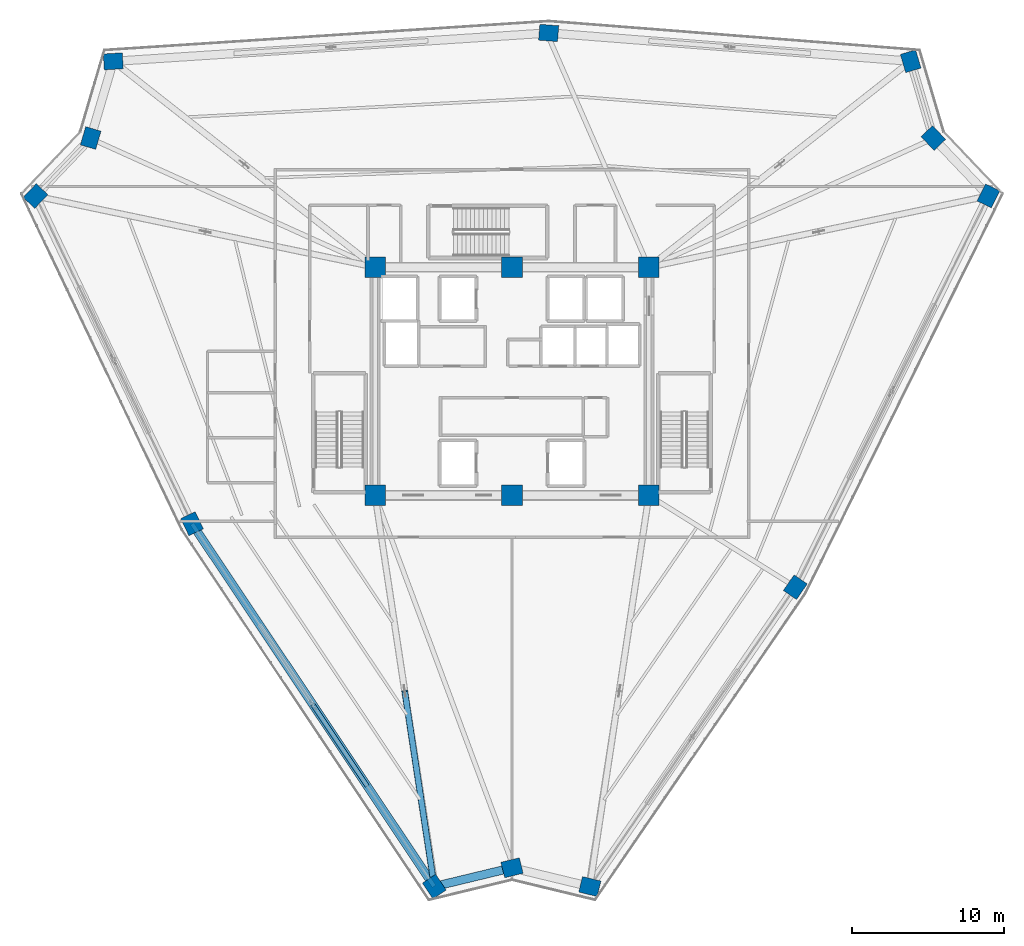
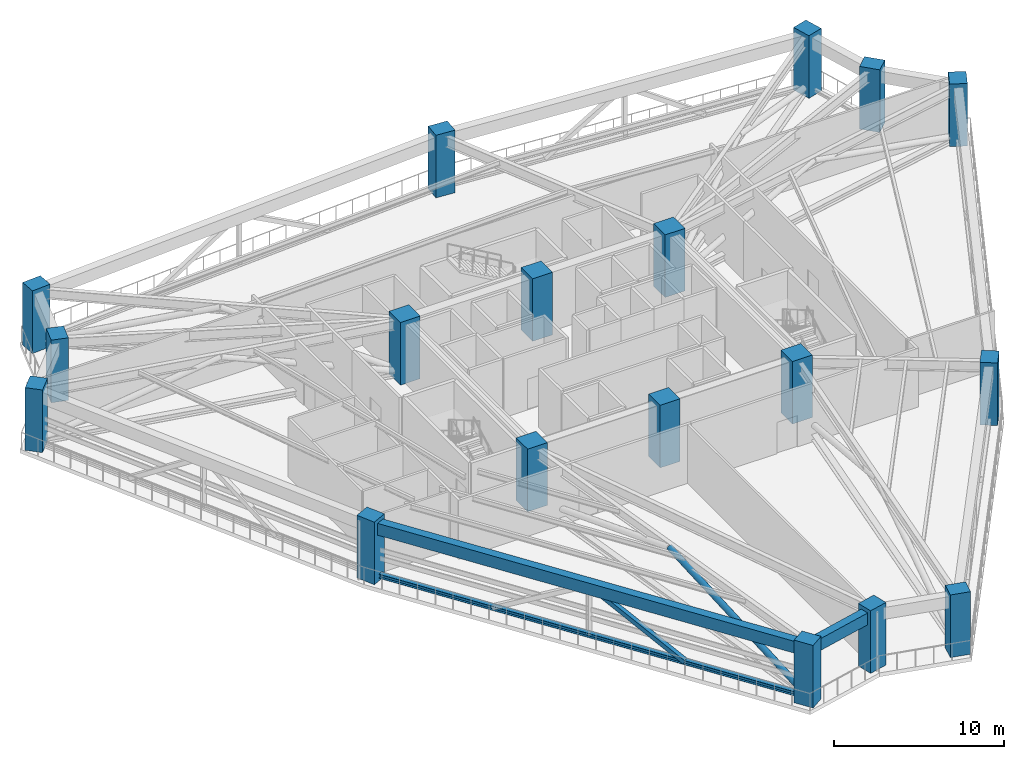
# One storey, part 1 of 22: 18 columns, 3 members, 2 beams.
"""IFC4 building model written with IfcOpenShell, lengths in metres."""

from ifc_helpers import new_model, si_unit, direction, frame, origin, origin_2d, place, context, subcontext, project, spatial, rectangle, hollow_rectangle, hollow_circle, i_section, extrude, source, transform, mapped, material, material_profile, profile_set, type_object, element, save


model = new_model("IFC4")

# Units and contexts
model_context = context("Model", 3, precision=1e-05, world=origin(), true_north=direction((0.0, 1.0)))
body_context = subcontext(model_context, "Body", "Model", "MODEL_VIEW")
ifc_project = project(units=[si_unit("LENGTHUNIT", "METRE"), si_unit("AREAUNIT", "SQUARE_METRE"), si_unit("VOLUMEUNIT", "CUBIC_METRE"), si_unit("PLANEANGLEUNIT", "RADIAN"), si_unit("MASSUNIT", "GRAM", prefix="KILO")], contexts=[model_context])

# Site, building, storey
site_placement = place(None, origin())
site = spatial("IfcSite", under=ifc_project, at=site_placement, CompositionType="ELEMENT")
building_placement = place(site_placement, origin())
building = spatial("IfcBuilding", under=site, at=building_placement, Name="Liaohun Quay Tower", CompositionType="ELEMENT")
storey_placement = place(building_placement, frame((0.0, 0.0, 277.5)))
storey = spatial("IfcBuildingStorey", under=building, at=storey_placement, Name="L72", CompositionType="ELEMENT", Elevation=277.5)

# Columns
ifc_material_1 = material(Name="Concrete C55", Category="concrete")
ifc_material_profile_1 = material_profile(ifc_material_1, rectangle(XDim=1.35009765625, YDim=1.35009765625, at=origin_2d()), Name="RC1350x1350")
ifc_profile_set_1 = profile_set([ifc_material_profile_1], Name="Concrete C55")
column_type_1 = type_object("IfcColumnType", Name="COL-CC-Z3", PredefinedType="COLUMN", material=ifc_profile_set_1)
shared_shape_1 = source(origin(), body_context, "Body", "SweptSolid", [
    extrude(rectangle(XDim=1.35009765625, YDim=1.35009765625, at=origin_2d()), origin(), (0.0, 0.0, 1.0), 4.5),
])
for number, where, z_axis, x_axis, name in (
    (1, (51.0, 46.5, 0.0), (0.0, 0.0, 1.0), (1.0, 0.0, 0.0), "L72 Core Column CC1"),
    (2, (60.0, 46.5, 0.0), (0.0, 0.0, 1.0), (1.0, 0.0, 0.0), "L72 Core Column CC2"),
    (3, (69.0, 46.5, 0.0), (0.0, 0.0, 1.0), (1.0, 0.0, 0.0), "L72 Core Column CC3"),
    (4, (69.0, 61.5, 0.0), (0.0, 0.0, 1.0), (1.0, 0.0, 0.0), "L72 Core Column CC4"),
    (5, (60.0, 61.5, 0.0), (0.0, 0.0, 1.0), (1.0, 0.0, 0.0), "L72 Core Column CC5"),
    (6, (51.0, 61.5, 0.0), (0.0, 0.0, 1.0), (1.0, 0.0, 0.0), "L72 Core Column CC6"),
):
    element("IfcColumn", number, at=place(storey_placement, frame(where, z_axis=z_axis, x_axis=x_axis)), inside=storey, type_object=column_type_1, Name=name, PredefinedType="COLUMN", context=body_context, shape_type="MappedRepresentation", body=[
        mapped(shared_shape_1, transform((0.0, 0.0, 0.0), x_axis=(1.0, 0.0, 0.0), y_axis=(0.0, 1.0, 0.0), z_axis=(0.0, 0.0, 1.0), scale=1.0)),
    ])
ifc_material_profile_2 = material_profile(ifc_material_1, rectangle(XDim=1.25, YDim=1.050048828125, at=origin_2d()), Name="RC1250x1050")
ifc_profile_set_2 = profile_set([ifc_material_profile_2], Name="Concrete C55")
column_type_2 = type_object("IfcColumnType", Name="COL-PIER-Z3", PredefinedType="COLUMN", material=ifc_profile_set_2)
shared_shape_2 = source(origin(), body_context, "Body", "SweptSolid", [
    extrude(rectangle(XDim=1.25, YDim=1.050048828125, at=origin_2d()), origin(), (0.0, 0.0, 1.0), 4.5),
])
for number, where, z_axis, x_axis, name in (
    (7, (54.89208984375, 20.783935546875, 0.0), (0.0, 0.0, 1.0), (-0.555279961531, 0.831663492238, 0.0), "L72 Perimeter Pier PC01"),
    (8, (38.964111328125, 44.638916015625, 0.0), (0.0, 0.0, 1.0), (-0.430983630323, 0.902359745553, 0.0), "L72 Perimeter Pier PC02"),
    (9, (28.674072265625, 66.178955078125, 0.0), (0.0, 0.0, 1.0), (0.68936671806, 0.724412539946, 0.0), "L72 Perimeter Pier PC03"),
    (10, (32.302001953125, 69.991943359375, 0.0), (0.0, 0.0, 1.0), (0.282676303383, 0.959215360337, 0.0), "L72 Perimeter Pier PC04"),
    (11, (33.7880859375, 75.031982421875, 0.0), (0.0, 0.0, 1.0), (0.997881692444, 0.065054806779, 0.0), "L72 Perimeter Pier PC05"),
    (12, (62.412109375, 76.89892578125, 0.0), (0.0, 0.0, 1.0), (-0.996958278162, 0.077937100301, 0.0), "L72 Perimeter Pier PC06"),
    (13, (86.2099609375, 75.0400390625, 0.0), (0.0, 0.0, 1.0), (-0.282676303383, 0.959215360337, 0.0), "L72 Perimeter Pier PC07"),
    (14, (87.697998046875, 69.991943359375, 0.0), (0.0, 0.0, 1.0), (-0.68936671806, 0.724412539946, 0.0), "L72 Perimeter Pier PC08"),
    (15, (91.320068359375, 66.18505859375, 0.0), (0.0, 0.0, 1.0), (0.442601730913, 0.896718299017, 0.0), "L72 Perimeter Pier PC09"),
    (16, (78.625, 40.4619140625, 0.0), (0.0, 0.0, 1.0), (0.56597464784, 0.824422645251, 0.0), "L72 Perimeter Pier PC10"),
    (17, (65.115966796875, 20.781982421875, 0.0), (0.0, 0.0, 1.0), (-0.972043021443, 0.234802820391, 0.0), "L72 Perimeter Pier PC11"),
    (18, (60.0, 22.01708984375, 0.0), (0.0, 0.0, 1.0), (0.972043021443, 0.234802820391, 0.0), "L72 Perimeter Pier PC12"),
):
    element("IfcColumn", number, at=place(storey_placement, frame(where, z_axis=z_axis, x_axis=x_axis)), inside=storey, type_object=column_type_2, Name=name, PredefinedType="COLUMN", context=body_context, shape_type="MappedRepresentation", body=[
        mapped(shared_shape_2, transform((0.0, 0.0, 0.0), x_axis=(1.0, 0.0, 0.0), y_axis=(0.0, 1.0, 0.0), z_axis=(0.0, 0.0, 1.0), scale=1.0)),
    ])

# Beams
ifc_material_2 = material(Name="Precast concrete C50", Category="concrete")
ifc_material_profile_3 = material_profile(ifc_material_2, rectangle(XDim=0.550048828125, YDim=0.85009765625, at=origin_2d()), Name="RC550x850")
ifc_profile_set_3 = profile_set([ifc_material_profile_3], Name="Precast concrete C50")
beam_type = type_object("IfcBeamType", Name="BM-SPD-Z3", PredefinedType="SPANDREL", material=ifc_profile_set_3)
shared_shape_3 = source(origin(), body_context, "Body", "SweptSolid", [
    extrude(rectangle(XDim=0.550048828125, YDim=0.85009765625, at=origin_2d()), origin(), (0.0, 0.0, 1.0), 28.683837890625),
])
beam_1_placement = place(storey_placement, frame((54.89208984375, 20.783935546875, 3.794921875), z_axis=(-0.555295200769, 0.831653317196, 0.0), x_axis=(-0.831653317196, -0.555295200769, 0.0)))
element("IfcBeam", 19, at=beam_1_placement, inside=storey, type_object=beam_type, Name="L72 Precast Spandrel Beam PC01-PC02", PredefinedType="SPANDREL", context=body_context, shape_type="MappedRepresentation", body=[
    mapped(shared_shape_3, transform((0.0, 0.0, 0.0), x_axis=(1.0, 0.0, 0.0), y_axis=(0.0, 1.0, 0.0), z_axis=(0.0, 0.0, 1.0), scale=1.0)),
])
shared_shape_4 = source(origin(), body_context, "Body", "SweptSolid", [
    extrude(rectangle(XDim=0.550048828125, YDim=0.85009765625, at=origin_2d()), origin(), (0.0, 0.0, 1.0), 5.254638671875),
])
beam_2_placement = place(storey_placement, frame((60.0, 22.01708984375, 3.794921875), z_axis=(-0.972073072096, -0.234678380994, 0.0), x_axis=(0.234678380994, -0.972073072096, 0.0)))
element("IfcBeam", 20, at=beam_2_placement, inside=storey, type_object=beam_type, Name="L72 Precast Spandrel Beam PC12-PC01", PredefinedType="SPANDREL", context=body_context, shape_type="MappedRepresentation", body=[
    mapped(shared_shape_4, transform((0.0, 0.0, 0.0), x_axis=(1.0, 0.0, 0.0), y_axis=(0.0, 1.0, 0.0), z_axis=(0.0, 0.0, 1.0), scale=1.0)),
])

# Members
ifc_material_3 = material(Name="Steel Q420D", Category="steel")
ifc_material_profile_4 = material_profile(ifc_material_3, hollow_circle(Radius=0.202880859375, WallThickness=0.01611328125, at=origin_2d()), Name="CHS406x16")
ifc_profile_set_4 = profile_set([ifc_material_profile_4], Name="Steel Q420D")
member_type_1 = type_object("IfcMemberType", Name="MEM-OUT-DG2", PredefinedType="BRACE", material=ifc_profile_set_4)
shared_shape_5 = source(origin(), body_context, "Body", "SweptSolid", [
    extrude(hollow_circle(Radius=0.202880859375, WallThickness=0.01611328125, at=origin_2d()), origin(), (0.0, 0.0, 1.0), 13.485595703125),
])
member_1_placement = place(storey_placement, frame((52.946044921875, 33.64208984375, 3.919921875), z_axis=(0.144304822071, -0.953469083429, -0.264712722158), x_axis=(0.988740095202, 0.149642988947, 0.0)))
element("IfcMember", 21, at=member_1_placement, inside=storey, type_object=member_type_1, Name="L72 Outrigger Diagonal OD-01B", PredefinedType="BRACE", context=body_context, shape_type="MappedRepresentation", body=[
    mapped(shared_shape_5, transform((0.0, 0.0, 0.0), x_axis=(1.0, 0.0, 0.0), y_axis=(0.0, 1.0, 0.0), z_axis=(0.0, 0.0, 1.0), scale=1.0)),
])
ifc_material_4 = material(Name="Steel Q355D", Category="steel")
ifc_material_profile_5 = material_profile(ifc_material_4, i_section(OverallWidth=0.300048828125, OverallDepth=0.300048828125, WebThickness=0.010009765625, FlangeThickness=0.014892578125, at=origin_2d()), Name="HW300x300x10x15")
ifc_profile_set_5 = profile_set([ifc_material_profile_5], Name="Steel Q355D")
member_type_2 = type_object("IfcMemberType", Name="MEM-BLT-CHD", PredefinedType="CHORD", material=ifc_profile_set_5)
shared_shape_6 = source(origin(), body_context, "Body", "SweptSolid", [
    extrude(i_section(OverallWidth=0.300048828125, OverallDepth=0.300048828125, WebThickness=0.010009765625, FlangeThickness=0.014892578125, at=origin_2d()), origin(), (0.0, 0.0, 1.0), 28.683837890625),
])
member_2_placement = place(storey_placement, frame((54.89208984375, 20.783935546875, 0.35009765625), z_axis=(-0.555295200769, 0.831653317196, 0.0), x_axis=(-0.831653317196, -0.555295200769, 0.0)))
element("IfcMember", 22, at=member_2_placement, inside=storey, type_object=member_type_2, Name="L72 Belt Truss Bottom Chord BC-1-01", PredefinedType="CHORD", context=body_context, shape_type="MappedRepresentation", body=[
    mapped(shared_shape_6, transform((0.0, 0.0, 0.0), x_axis=(1.0, 0.0, 0.0), y_axis=(0.0, 1.0, 0.0), z_axis=(0.0, 0.0, 1.0), scale=1.0)),
])
ifc_material_profile_6 = material_profile(ifc_material_4, hollow_rectangle(XDim=0.300048828125, YDim=0.300048828125, WallThickness=0.013916015625, at=origin_2d()), Name="SHS300x300x14")
ifc_profile_set_6 = profile_set([ifc_material_profile_6], Name="Steel Q355D")
member_type_3 = type_object("IfcMemberType", Name="MEM-BLT-DG3", PredefinedType="BRACE", material=ifc_profile_set_6)
shared_shape_7 = source(origin(), body_context, "Body", "SweptSolid", [
    extrude(hollow_rectangle(XDim=0.300048828125, YDim=0.300048828125, WallThickness=0.013916015625, at=origin_2d()), origin(), (0.0, 0.0, 1.0), 7.250732421875),
])
member_3_placement = place(storey_placement, frame((50.431884765625, 27.462890625, 0.35009765625), z_axis=(-0.483247995121, 0.723929201164, 0.492339199043), x_axis=(-0.831716862262, -0.555200018939, 0.0)))
element("IfcMember", 23, at=member_3_placement, inside=storey, type_object=member_type_3, Name="L72 Belt Truss Diagonal BD-01A", PredefinedType="BRACE", context=body_context, shape_type="MappedRepresentation", body=[
    mapped(shared_shape_7, transform((0.0, 0.0, 0.0), x_axis=(1.0, 0.0, 0.0), y_axis=(0.0, 1.0, 0.0), z_axis=(0.0, 0.0, 1.0), scale=1.0)),
])

save(model, "model.ifc")
